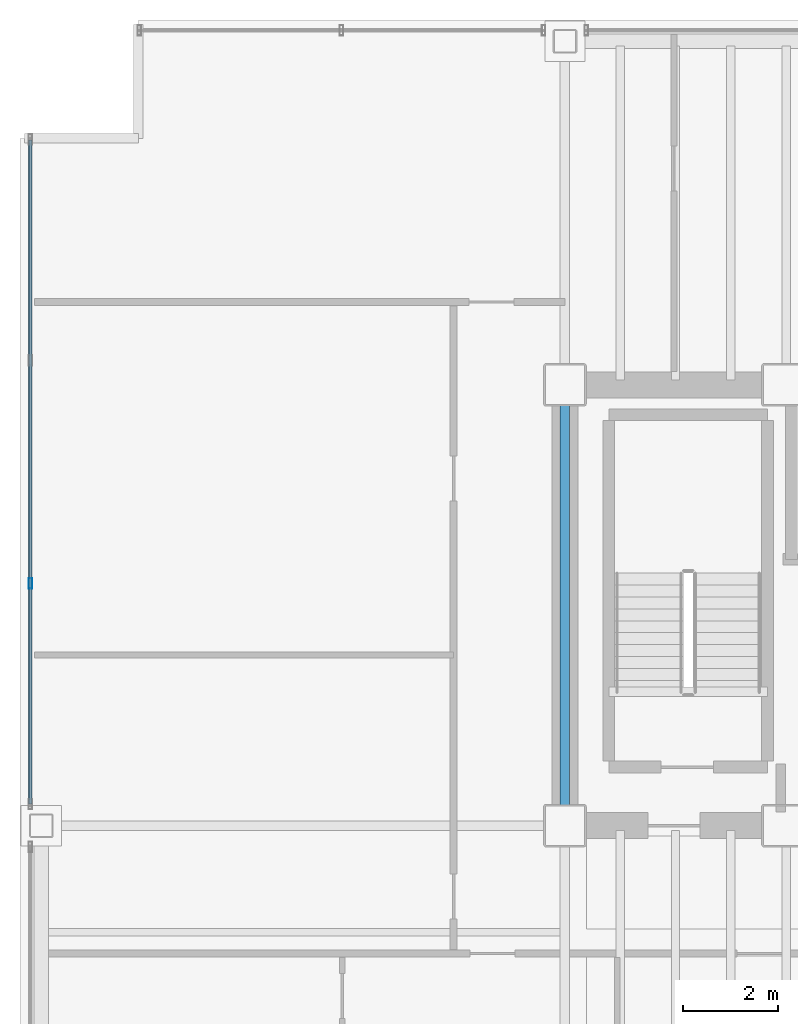
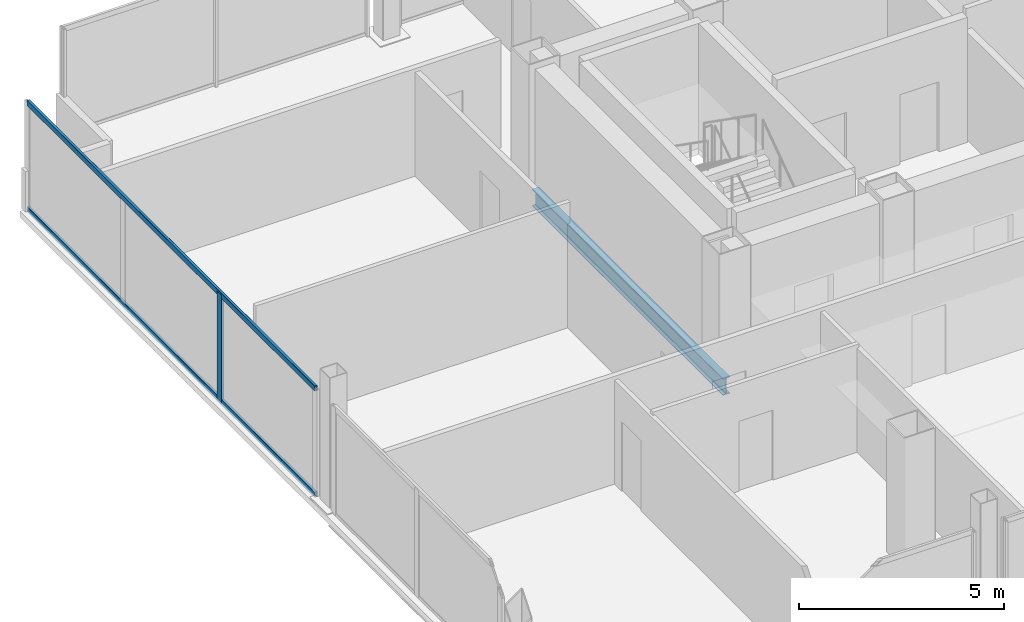
# One storey, part 6 of 19: 3 members, 1 beam, 1 element without a shape of its own.
"""IFC4 building model written with IfcOpenShell, lengths in metres."""

from ifc_helpers import new_model, si_unit, direction, frame, origin, origin_2d, place, context, subcontext, project, spatial, hollow_rectangle, i_section, extrude, material, material_profile, profile_set, type_object, element, aggregate, save


model = new_model("IFC4")

# Units and contexts
model_context = context("Model", 3, precision=1e-05, world=origin(), true_north=direction((0.0, 1.0)))
body_context = subcontext(model_context, "Body", "Model", "MODEL_VIEW")
ifc_project = project(units=[si_unit("LENGTHUNIT", "METRE"), si_unit("AREAUNIT", "SQUARE_METRE"), si_unit("VOLUMEUNIT", "CUBIC_METRE"), si_unit("PLANEANGLEUNIT", "RADIAN"), si_unit("MASSUNIT", "GRAM", prefix="KILO")], contexts=[model_context])

# Site, building, storey
site_placement = place(None, origin())
site = spatial("IfcSite", under=ifc_project, at=site_placement, CompositionType="ELEMENT")
building_placement = place(site_placement, origin())
building = spatial("IfcBuilding", under=site, at=building_placement, Name="Noeulbin Bourse Tower", CompositionType="ELEMENT")
storey_placement = place(building_placement, frame((0.0, 0.0, 157.800048828125)))
storey = spatial("IfcBuildingStorey", under=building, at=storey_placement, Name="L39", CompositionType="ELEMENT", Elevation=157.800048828125)

# Beam
ifc_material_1 = material(Name="Steel S355", Category="steel")
ifc_material_profile_1 = material_profile(ifc_material_1, i_section(OverallWidth=0.199951171875, OverallDepth=0.5, WebThickness=0.010009765625, FlangeThickness=0.01611328125, FilletRadius=0.02001953125, at=origin_2d()), Name="H-500x200x10x16", Category="LoadBearing")
ifc_profile_set_1 = profile_set([ifc_material_profile_1], Name="Steel S355")
beam_type = type_object("IfcBeamType", Name="BM-GRD-500", PredefinedType="USERDEFINED", material=ifc_profile_set_1)
beam_placement = place(storey_placement, frame((13.5, 29.0, -0.429931640625), z_axis=(0.0, 1.0, 0.0), x_axis=(-1.0, 0.0, 0.0)))
element("IfcBeam", 1, at=beam_placement, inside=storey, type_object=beam_type, Name="Tower Primary Girder NS L39-1.3", ObjectType="GIRDER", PredefinedType="USERDEFINED", context=body_context, shape_type="SweptSolid", body=[
    extrude(i_section(OverallWidth=0.199951171875, OverallDepth=0.5, WebThickness=0.010009765625, FlangeThickness=0.01611328125, FilletRadius=0.02001953125, at=origin_2d()), origin(), (0.0, 0.0, 1.0), 9.300048828125),
])

# Curtain wall, members
ifc_material_2 = material(Name="Dark Tinted Triple Glazing", Category="glass")
curtain_wall_type = type_object("IfcCurtainWallType", Name="CW-SYS-3", PredefinedType="NOTDEFINED", material=ifc_material_2)
curtain_wall_placement = place(storey_placement, origin())
curtain_wall = element("IfcCurtainWall", 2, at=curtain_wall_placement, inside=storey, type_object=curtain_wall_type, Name="Unitised Curtain Wall CW-L39-W-S2", PredefinedType="NOTDEFINED")
ifc_material_3 = material(Name="Anodised Aluminium 6063-T6", Category="aluminium")
ifc_material_profile_2 = material_profile(ifc_material_3, hollow_rectangle(XDim=0.074951171875, YDim=0.219970703125, WallThickness=0.0048828125, InnerFilletRadius=0.00244140625, OuterFilletRadius=0.0048828125, at=origin_2d()), Name="ALU-MULL-75x220x5", Category="LoadBearing")
ifc_profile_set_2 = profile_set([ifc_material_profile_2], Name="Anodised Aluminium 6063-T6")
member_type_1 = type_object("IfcMemberType", Name="CW-SYS-3-MUL", PredefinedType="MULLION", material=ifc_profile_set_2)
member_1_placement = place(storey_placement, frame((2.219970703125, 34.11328125, -0.02001953125), z_axis=(0.0, 0.0, 1.0), x_axis=(1.0, 0.0, 0.0)))
member_1 = element("IfcMember", 3, at=member_1_placement, type_object=member_type_1, Name="Curtain Wall Mullion CW-L39-W-S2-M01", PredefinedType="MULLION", context=body_context, shape_type="SweptSolid", body=[
    extrude(hollow_rectangle(XDim=0.074951171875, YDim=0.219970703125, WallThickness=0.0048828125, InnerFilletRadius=0.00244140625, OuterFilletRadius=0.0048828125, at=origin_2d()), origin(), (0.0, 0.0, 1.0), 3.219970703125),
])
ifc_material_profile_3 = material_profile(ifc_material_3, hollow_rectangle(XDim=0.074951171875, YDim=0.159912109375, WallThickness=0.0048828125, InnerFilletRadius=0.00244140625, OuterFilletRadius=0.0048828125, at=origin_2d()), Name="ALU-TRAN-75x160x5", Category="LoadBearing")
ifc_profile_set_3 = profile_set([ifc_material_profile_3], Name="Anodised Aluminium 6063-T6")
member_type_2 = type_object("IfcMemberType", Name="CW-SYS-3-TRN", PredefinedType="USERDEFINED", material=ifc_profile_set_3)
member_2_placement = place(storey_placement, frame((2.219970703125, 29.4599609375, 0.010009765625), z_axis=(0.0, 1.0, 0.0), x_axis=(-1.0, 0.0, 0.0)))
member_2 = element("IfcMember", 4, at=member_2_placement, type_object=member_type_2, Name="Curtain Wall Transom CW-L39-W-S2-T00", ObjectType="TRANSOM", PredefinedType="USERDEFINED", context=body_context, shape_type="SweptSolid", body=[
    extrude(hollow_rectangle(XDim=0.074951171875, YDim=0.159912109375, WallThickness=0.0048828125, InnerFilletRadius=0.00244140625, OuterFilletRadius=0.0048828125, at=origin_2d()), origin(), (0.0, 0.0, 1.0), 14.010009765625),
])
member_3_placement = place(storey_placement, frame((2.219970703125, 29.4599609375, 3.169921875), z_axis=(0.0, 1.0, 0.0), x_axis=(-1.0, 0.0, 0.0)))
member_3 = element("IfcMember", 5, at=member_3_placement, type_object=member_type_2, Name="Curtain Wall Transom CW-L39-W-S2-T01", ObjectType="TRANSOM", PredefinedType="USERDEFINED", context=body_context, shape_type="SweptSolid", body=[
    extrude(hollow_rectangle(XDim=0.074951171875, YDim=0.159912109375, WallThickness=0.0048828125, InnerFilletRadius=0.00244140625, OuterFilletRadius=0.0048828125, at=origin_2d()), origin(), (0.0, 0.0, 1.0), 14.010009765625),
])
aggregate(curtain_wall, [member_1, member_2, member_3])

save(model, "model.ifc")
